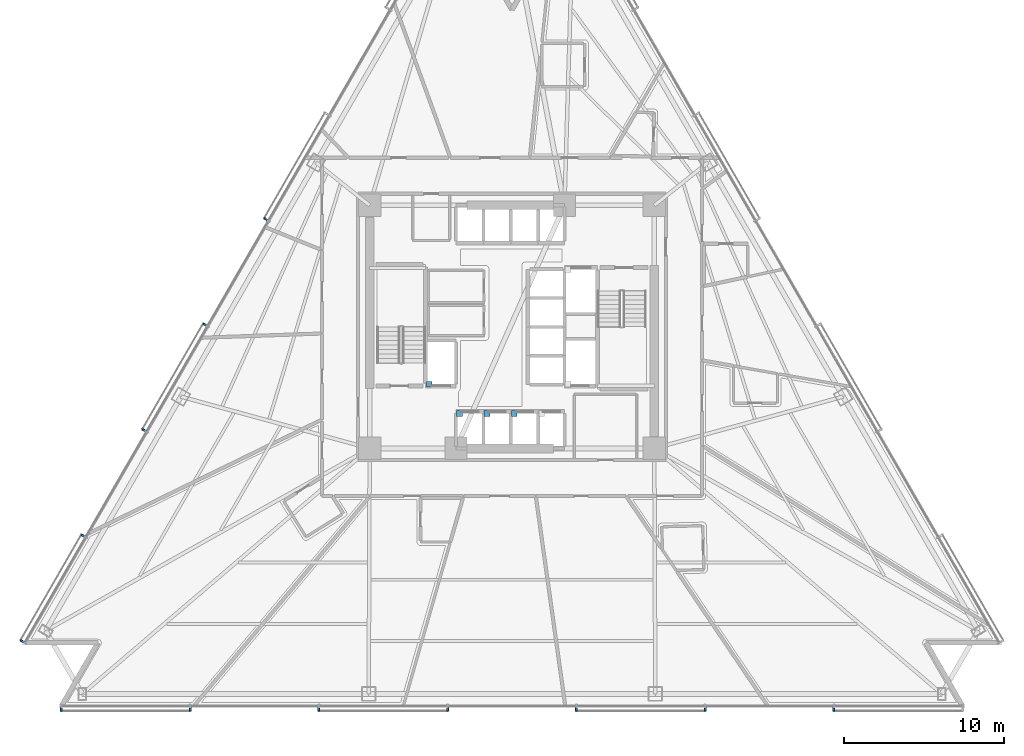
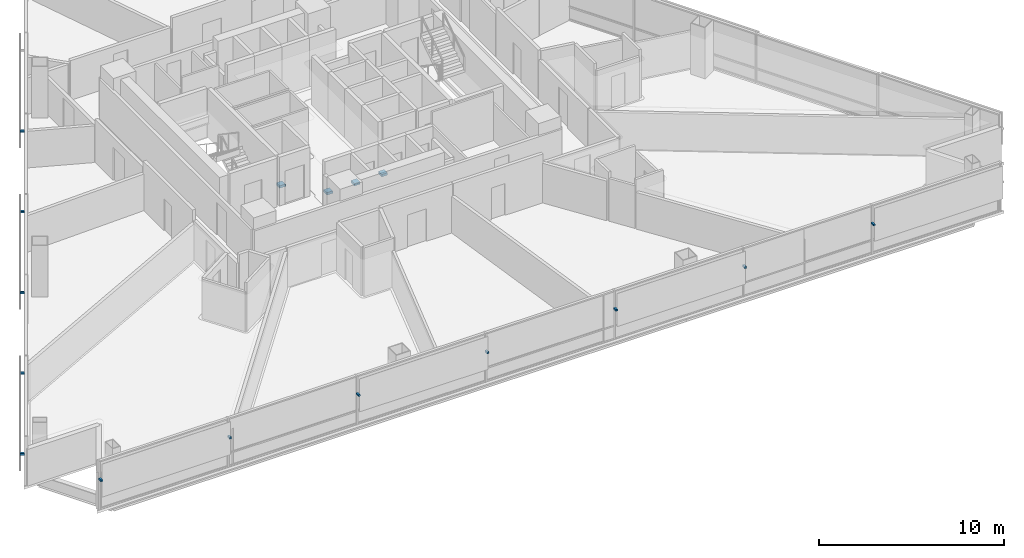
# One storey, part 11 of 17: 16 discrete accessories.
"""IFC4 building model written with IfcOpenShell, lengths in metres."""

from ifc_helpers import new_model, si_unit, direction, frame, origin, origin_2d, place, context, subcontext, project, spatial, rectangle, extrude, material, type_object, element, save


model = new_model("IFC4")

# Units and contexts
model_context = context("Model", 3, precision=1e-05, world=origin(), true_north=direction((0.0, 1.0)))
body_context = subcontext(model_context, "Body", "Model", "MODEL_VIEW")
ifc_project = project(units=[si_unit("LENGTHUNIT", "METRE"), si_unit("AREAUNIT", "SQUARE_METRE"), si_unit("VOLUMEUNIT", "CUBIC_METRE"), si_unit("PLANEANGLEUNIT", "RADIAN"), si_unit("MASSUNIT", "GRAM", prefix="KILO")], contexts=[model_context])

# Site, building, storey
site_placement = place(None, origin())
site = spatial("IfcSite", under=ifc_project, at=site_placement, CompositionType="ELEMENT")
building_placement = place(site_placement, origin())
building = spatial("IfcBuilding", under=site, at=building_placement, Name="Tharavind Bronze Gate", CompositionType="ELEMENT")
storey_placement = place(building_placement, frame((0.0, 0.0, 35.25)))
storey = spatial("IfcBuildingStorey", under=building, at=storey_placement, Name="L07", CompositionType="ELEMENT", Elevation=35.25)

# Discrete accessories
ifc_material_1 = material(Name="Galvanised Steel S355", Category="steel")
discrete_accessory_type_1 = type_object("IfcDiscreteAccessoryType", Name="LIFT GUIDE RAIL BRACKET", PredefinedType="BRACKET", material=ifc_material_1)
for number, where, z_axis, x_axis, name in (
    (1, (-3.280029296875, -5.419921875, 1.1201171875), (0.0, 0.0, 1.0), (1.0, 0.0, 0.0), "Lift PL1 guide rail bracket at L07"),
    (2, (-1.5673828125, -5.419921875, 1.1201171875), (0.0, 0.0, 1.0), (1.0, 0.0, 0.0), "Lift PL2 guide rail bracket at L07"),
    (3, (0.14501953125, -5.419921875, 1.1201171875), (0.0, 0.0, 1.0), (1.0, 0.0, 0.0), "Lift PL3 guide rail bracket at L07"),
    (4, (-5.179931640625, -3.580078125, 1.1201171875), (0.0, 0.0, 1.0), (1.0, 0.0, 0.0), "Lift FFL1 guide rail bracket at L07"),
):
    element("IfcDiscreteAccessory", number, at=place(storey_placement, frame(where, z_axis=z_axis, x_axis=x_axis)), inside=storey, type_object=discrete_accessory_type_1, Name=name, PredefinedType="BRACKET", context=body_context, shape_type="SweptSolid", body=[
        extrude(rectangle(XDim=0.360107421875, YDim=0.360107421875, at=origin_2d()), origin(), (0.0, 0.0, 1.0), 0.159912109375),
    ])
ifc_material_2 = material(Name="Stainless Steel 316", Category="steel")
discrete_accessory_type_2 = type_object("IfcDiscreteAccessoryType", Name="SOLAR SCREEN STANDOFF BRACKET", PredefinedType="BRACKET", material=ifc_material_2)
for number, where, z_axis, x_axis, name in (
    (5, (-15.397216796875, 6.7314453125, 2.00244140625), (0.0, 0.0, 1.0), (-0.500001511499, -0.866024531118, 0.0), "CW-L07-S1 solar screen bracket 3.2"),
    (6, (-19.205078125, 0.135986328125, 2.00244140625), (0.0, 0.0, 1.0), (-0.500001511499, -0.866024531118, 0.0), "CW-L07-S1 solar screen bracket 5.1"),
    (7, (-23.01318359375, -6.459716796875, 2.00244140625), (0.0, 0.0, 1.0), (-0.500001511499, -0.866024531118, 0.0), "CW-L07-S1 solar screen bracket 5.2"),
    (8, (-26.821044921875, -13.055419921875, 2.00244140625), (0.0, 0.0, 1.0), (-0.500001511499, -0.866024531118, 0.0), "CW-L07-S1 solar screen bracket 7.1"),
    (9, (-30.62890625, -19.65087890625, 2.00244140625), (0.0, 0.0, 1.0), (-0.500001511499, -0.866024531118, 0.0), "CW-L07-S1 solar screen bracket 7.2"),
    (10, (-28.17578125, -23.89990234375, 2.00244140625), (0.0, 0.0, 1.0), (1.0, 0.0, 0.0), "CW-L07-S2 solar screen bracket 1.1"),
    (11, (-20.12548828125, -23.89990234375, 2.00244140625), (0.0, 0.0, 1.0), (1.0, 0.0, 0.0), "CW-L07-S2 solar screen bracket 1.2"),
    (12, (-12.0751953125, -23.89990234375, 2.00244140625), (0.0, 0.0, 1.0), (1.0, 0.0, 0.0), "CW-L07-S2 solar screen bracket 3.1"),
    (13, (-4.025146484375, -23.89990234375, 2.00244140625), (0.0, 0.0, 1.0), (1.0, 0.0, 0.0), "CW-L07-S2 solar screen bracket 3.2"),
    (14, (4.025146484375, -23.89990234375, 2.00244140625), (0.0, 0.0, 1.0), (1.0, 0.0, 0.0), "CW-L07-S2 solar screen bracket 5.1"),
    (15, (12.0751953125, -23.89990234375, 2.00244140625), (0.0, 0.0, 1.0), (1.0, 0.0, 0.0), "CW-L07-S2 solar screen bracket 5.2"),
    (16, (20.12548828125, -23.89990234375, 2.00244140625), (0.0, 0.0, 1.0), (1.0, 0.0, 0.0), "CW-L07-S2 solar screen bracket 7.1"),
):
    element("IfcDiscreteAccessory", number, at=place(storey_placement, frame(where, z_axis=z_axis, x_axis=x_axis)), inside=storey, type_object=discrete_accessory_type_2, Name=name, PredefinedType="BRACKET", context=body_context, shape_type="SweptSolid", body=[
        extrude(rectangle(XDim=0.1201171875, YDim=0.239990234375, at=origin_2d()), origin(), (0.0, 0.0, 1.0), 0.1201171875),
    ])

save(model, "model.ifc")
